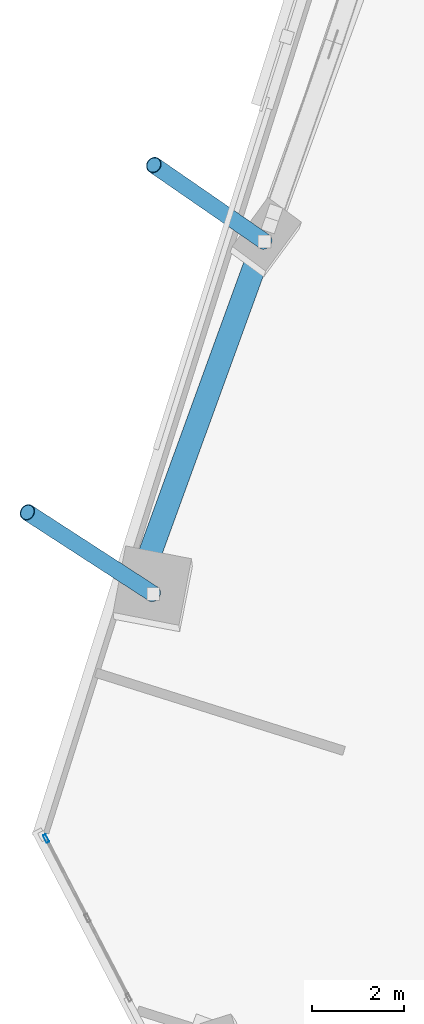
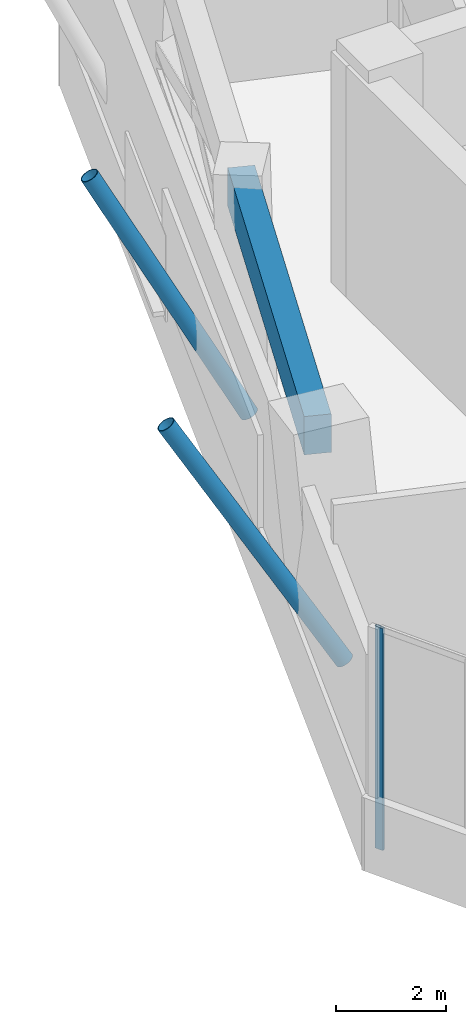
# One storey, part 6 of 29: 3 members, 1 beam, 1 element without a shape of its own.
"""IFC4 building model written with IfcOpenShell, lengths in metres."""

from ifc_helpers import new_model, si_unit, direction, frame, origin, origin_2d, place, context, subcontext, project, spatial, rectangle, hollow_rectangle, hollow_circle, extrude, source, transform, mapped, material, material_profile, profile_set, type_object, element, aggregate, save


model = new_model("IFC4")

# Units and contexts
model_context = context("Model", 3, precision=1e-05, world=origin(), true_north=direction((0.0, 1.0)))
body_context = subcontext(model_context, "Body", "Model", "MODEL_VIEW")
ifc_project = project(units=[si_unit("LENGTHUNIT", "METRE"), si_unit("AREAUNIT", "SQUARE_METRE"), si_unit("VOLUMEUNIT", "CUBIC_METRE"), si_unit("PLANEANGLEUNIT", "RADIAN"), si_unit("MASSUNIT", "GRAM", prefix="KILO")], contexts=[model_context])

# Site, building, storey
site_placement = place(None, origin())
site = spatial("IfcSite", under=ifc_project, at=site_placement, CompositionType="ELEMENT")
building_placement = place(site_placement, origin())
building = spatial("IfcBuilding", under=site, at=building_placement, Name="Torre Montelarca", CompositionType="ELEMENT")
storey_placement = place(building_placement, frame((0.0, 0.0, 122.199951171875)))
storey = spatial("IfcBuildingStorey", under=building, at=storey_placement, Name="L27", CompositionType="ELEMENT", Elevation=122.199951171875)

# Members
ifc_material_1 = material(Name="Steel ASTM A500 Grade C", Category="steel")
ifc_material_profile_1 = material_profile(ifc_material_1, hollow_circle(Radius=0.177734375, WallThickness=0.015869140625, at=origin_2d()), Name="HSS355.6X15.9", Category="steel")
ifc_profile_set_1 = profile_set([ifc_material_profile_1], Name="Steel ASTM A500 Grade C")
member_type_1 = type_object("IfcMemberType", Name="MB-BR-CHS356-EXT", PredefinedType="BRACE", material=ifc_profile_set_1)
shared_shape_1 = source(origin(), body_context, "Body", "SweptSolid", [
    extrude(hollow_circle(Radius=0.177734375, WallThickness=0.015869140625, at=origin_2d()), origin(), (0.0, 0.0, 1.0), 6.054443359375),
])
member_1_placement = place(storey_placement, frame((3.024169921875, 29.437255859375, 0.150146484375), z_axis=(-0.450137889948, 0.29166419045, 0.843983341093), x_axis=(-0.543774863352, -0.83923113502, 0.0)))
element("IfcMember", 1, at=member_1_placement, inside=storey, type_object=member_type_1, Name="L28 Sliding Tray Exterior Diagonal Raker Strut W1", PredefinedType="BRACE", context=body_context, shape_type="MappedRepresentation", body=[
    mapped(shared_shape_1, transform((0.0, 0.0, 0.0), scale=1.0)),
])
shared_shape_2 = source(origin(), body_context, "Body", "SweptSolid", [
    extrude(hollow_circle(Radius=0.177734375, WallThickness=0.015869140625, at=origin_2d()), origin(), (0.0, 0.0, 1.0), 5.880615234375),
])
member_2_placement = place(storey_placement, frame((5.429931640625, 37.06689453125, 0.150146484375), z_axis=(-0.407272051191, 0.28122944697, 0.86893007456), x_axis=(-0.568215060255, -0.82288009169, 0.0)))
element("IfcMember", 2, at=member_2_placement, inside=storey, type_object=member_type_1, Name="L28 Sliding Tray Exterior Diagonal Raker Strut W2", PredefinedType="BRACE", context=body_context, shape_type="MappedRepresentation", body=[
    mapped(shared_shape_2, transform((0.0, 0.0, 0.0), scale=1.0)),
])

# Beam
ifc_material_2 = material(Name="Concrete C55/67", Category="concrete")
ifc_material_profile_2 = material_profile(ifc_material_2, rectangle(XDim=0.5, YDim=0.85009765625, at=origin_2d()), Name="RCB500X850", Category="concrete")
ifc_profile_set_2 = profile_set([ifc_material_profile_2], Name="Concrete C55/67")
beam_type = type_object("IfcBeamType", Name="BM-SP-RC850-EXT", PredefinedType="SPANDREL", material=ifc_profile_set_2)
shared_shape_3 = source(origin(), body_context, "Body", "SweptSolid", [
    extrude(rectangle(XDim=0.5, YDim=0.85009765625, at=origin_2d()), origin(), (0.0, 0.0, 1.0), 7.999755859375),
])
beam_placement = place(storey_placement, frame((2.929931640625, 30.24560546875, 4.695068359375), z_axis=(0.342046889689, 0.939682885475, 0.0), x_axis=(-0.939682885475, 0.342046889689, 0.0)))
element("IfcBeam", 3, at=beam_placement, inside=storey, type_object=beam_type, Name="L27 Grid Girder Y 24.0-32.0 at X=4.7", PredefinedType="SPANDREL", context=body_context, shape_type="MappedRepresentation", body=[
    mapped(shared_shape_3, transform((0.0, 0.0, 0.0), scale=1.0)),
])

# Curtain wall, member
ifc_material_3 = material(Name="Insulated low-E laminated glass", Category="glass")
curtain_wall_type = type_object("IfcCurtainWallType", Name="CW-SYS-Z1", PredefinedType="USERDEFINED", material=ifc_material_3)
curtain_wall_placement = place(storey_placement, origin())
curtain_wall = element("IfcCurtainWall", 4, at=curtain_wall_placement, inside=storey, type_object=curtain_wall_type, Name="L27 Curtain Wall Run CW-T3-L27-E11-B1", ObjectType="UNITISED GLAZING", PredefinedType="USERDEFINED")
ifc_material_4 = material(Name="Anodised aluminium AA 6063-T6", Category="aluminium")
ifc_material_profile_3 = material_profile(ifc_material_4, hollow_rectangle(XDim=0.06494140625, YDim=0.179931640625, WallThickness=0.00390625, InnerFilletRadius=0.00390625, OuterFilletRadius=0.008056640625, at=origin_2d()), Name="ALU65X180X4", Category="aluminium")
ifc_profile_set_3 = profile_set([ifc_material_profile_3], Name="Anodised aluminium AA 6063-T6")
member_type_2 = type_object("IfcMemberType", Name="CWM-ALU180", PredefinedType="MULLION", material=ifc_profile_set_3)
shared_shape_4 = source(origin(), body_context, "Body", "SweptSolid", [
    extrude(hollow_rectangle(XDim=0.06494140625, YDim=0.179931640625, WallThickness=0.00390625, InnerFilletRadius=0.00390625, OuterFilletRadius=0.008056640625, at=origin_2d()), origin(), (0.0, 0.0, 1.0), 4.920166015625),
])
member_3_placement = place(storey_placement, frame((0.706298828125, 24.140869140625, 0.0), z_axis=(0.0, 0.0, 1.0), x_axis=(0.88701834412, 0.461734184563, 0.0)))
member_3 = element("IfcMember", 5, at=member_3_placement, type_object=member_type_2, Name="CW mullion 1", PredefinedType="MULLION", context=body_context, shape_type="MappedRepresentation", body=[
    mapped(shared_shape_4, transform((0.0, 0.0, 0.0), scale=1.0)),
])
aggregate(curtain_wall, [member_3])

save(model, "model.ifc")
